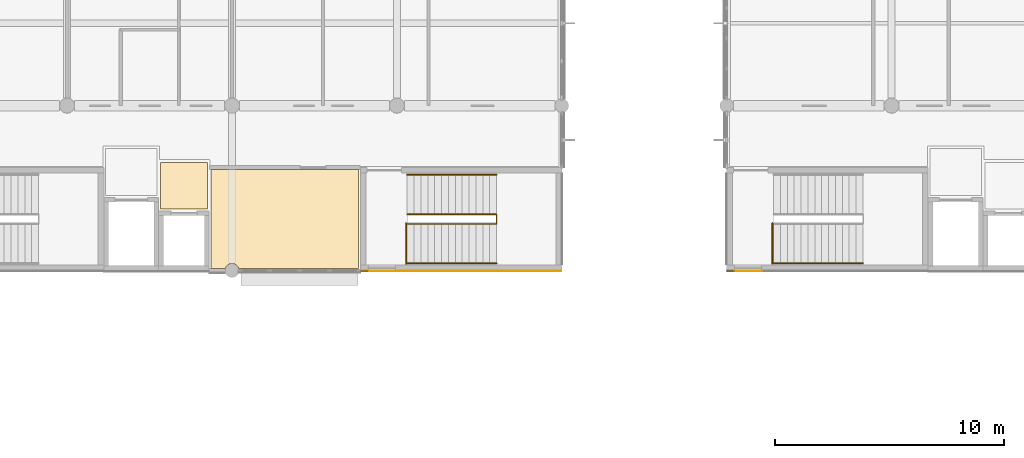
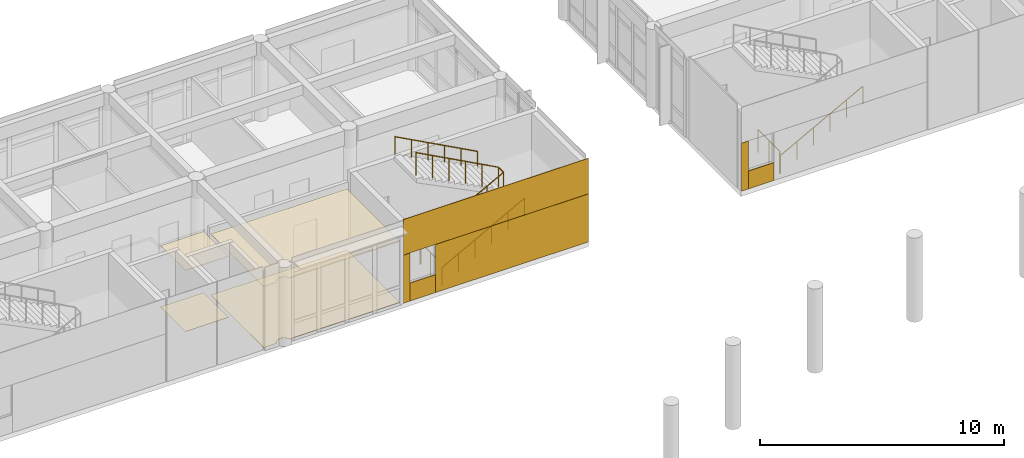
# One storey, part 49 of 55: 10 coverings, 6 railings.
"""IFC4 building model written with IfcOpenShell, lengths in metres."""

from ifc_helpers import new_model, si_unit, direction, frame, origin, origin_2d, place, context, subcontext, project, spatial, polyline, rectangle, circle, outline, extrude, material, layer, layer_set, type_object, element, save


model = new_model("IFC4")

# Units and contexts
model_context = context("Model", 3, precision=1e-05, world=origin(), true_north=direction((0.0, 1.0)))
body_context = subcontext(model_context, "Body", "Model", "MODEL_VIEW")
ifc_project = project(units=[si_unit("LENGTHUNIT", "METRE"), si_unit("AREAUNIT", "SQUARE_METRE"), si_unit("VOLUMEUNIT", "CUBIC_METRE"), si_unit("PLANEANGLEUNIT", "RADIAN"), si_unit("MASSUNIT", "GRAM", prefix="KILO")], contexts=[model_context])

# Site, building, storey
site_placement = place(None, origin())
site = spatial("IfcSite", under=ifc_project, at=site_placement, CompositionType="ELEMENT")
building_placement = place(site_placement, origin())
building = spatial("IfcBuilding", under=site, at=building_placement, Name="Namkhue Oval Health Centre", CompositionType="ELEMENT")
storey_placement = place(building_placement, frame((0.0, 0.0, 9.60009765625)))
storey = spatial("IfcBuildingStorey", under=building, at=storey_placement, Name="L02", CompositionType="ELEMENT", Elevation=9.60009765625)

# Coverings
ifc_material_1 = material(Name="Acoustic mineral-fibre cleanroom ceiling", Category="gypsum")
ifc_layer_1 = layer(ifc_material_1, 0.02001953125)
ifc_layer_set_1 = layer_set([ifc_layer_1], Name="Acoustic mineral-fibre cleanroom ceiling")
covering_type_1 = type_object("IfcCoveringType", Name="ACOUSTIC CLEANROOM CEILING 20", PredefinedType="CEILING", material=ifc_layer_set_1)
covering_1_placement = place(storey_placement, frame((0.0, 0.0, 3.0498046875)))
element("IfcCovering", 1, at=covering_1_placement, inside=storey, type_object=covering_type_1, Name="Acoustic Ceiling L02-LL2 Lift Lobby LF-02", PredefinedType="CEILING", context=body_context, shape_type="SweptSolid", body=[
    extrude(outline(polyline([(68.8798828125, 92.679931640625), (68.8798828125, 94.719970703125), (70.919921875, 94.719970703125), (70.919921875, 92.679931640625), (68.8798828125, 92.679931640625)])), origin(), (0.0, 0.0, 1.0), 0.02001953125),
])
covering_2_placement = place(storey_placement, frame((0.0, 0.0, 3.0498046875)))
element("IfcCovering", 2, at=covering_2_placement, inside=storey, type_object=covering_type_1, Name="Acoustic Ceiling L02-211 Memory Geriatric Clinic", PredefinedType="CEILING", context=body_context, shape_type="SweptSolid", body=[
    extrude(outline(polyline([(72.297607421875, 90.0849609375), (72.2685546875, 90.155029296875), (72.21923828125, 90.21923828125), (72.155029296875, 90.2685546875), (72.080078125, 90.29931640625), (72.0, 90.31005859375), (71.919921875, 90.29931640625), (71.844970703125, 90.2685546875), (71.78076171875, 90.21923828125), (71.7314453125, 90.155029296875), (71.702392578125, 90.0849609375), (71.080078125, 90.0849609375), (71.080078125, 94.419921875), (77.52001953125, 94.419921875), (77.52001953125, 90.0849609375), (72.297607421875, 90.0849609375)])), origin(), (0.0, 0.0, 1.0), 0.02001953125),
])
ifc_material_2 = material(Name="Homogeneous anti-bacterial clinical vinyl flooring", Category="plastic")
ifc_layer_2 = layer(ifc_material_2, 0.014892578125)
ifc_layer_set_2 = layer_set([ifc_layer_2], Name="Homogeneous anti-bacterial clinical vinyl flooring")
covering_type_2 = type_object("IfcCoveringType", Name="CLINICAL ANTIBACTERIAL VINYL FLOORING 15", PredefinedType="FLOORING", material=ifc_layer_set_2)
covering_3_placement = place(storey_placement, origin())
element("IfcCovering", 3, at=covering_3_placement, inside=storey, type_object=covering_type_2, Name="Clinical Flooring L02-LL2 Lift Lobby LF-02", PredefinedType="FLOORING", context=body_context, shape_type="SweptSolid", body=[
    extrude(outline(polyline([(68.8798828125, 92.679931640625), (68.8798828125, 94.719970703125), (70.919921875, 94.719970703125), (70.919921875, 92.679931640625), (68.8798828125, 92.679931640625)])), origin(), (0.0, 0.0, 1.0), 0.014892578125),
])
covering_4_placement = place(storey_placement, origin())
element("IfcCovering", 4, at=covering_4_placement, inside=storey, type_object=covering_type_2, Name="Clinical Flooring L02-211 Memory Geriatric Clinic", PredefinedType="FLOORING", context=body_context, shape_type="SweptSolid", body=[
    extrude(outline(polyline([(72.297607421875, 90.0849609375), (72.2685546875, 90.155029296875), (72.21923828125, 90.21923828125), (72.155029296875, 90.2685546875), (72.080078125, 90.29931640625), (72.0, 90.31005859375), (71.919921875, 90.29931640625), (71.844970703125, 90.2685546875), (71.78076171875, 90.21923828125), (71.7314453125, 90.155029296875), (71.702392578125, 90.0849609375), (71.080078125, 90.0849609375), (71.080078125, 94.419921875), (77.52001953125, 94.419921875), (77.52001953125, 90.0849609375), (72.297607421875, 90.0849609375)])), origin(), (0.0, 0.0, 1.0), 0.014892578125),
])

# Railings
ifc_material_3 = material(Name="Brushed stainless steel 316L balustrade with laminated glass infill", Category="steel")
railing_type_1 = type_object("IfcRailingType", Name="INTERIOR BALUSTRADE GUARD 1150", PredefinedType="BALUSTRADE", material=ifc_material_3)
railing_1_placement = place(storey_placement, frame((79.60009765625, 90.2900390625, 0.0)))
element("IfcRailing", 5, at=railing_1_placement, inside=storey, type_object=railing_type_1, Name="Stair ST-04 L02 Landing Well Edge Guard", PredefinedType="BALUSTRADE", context=body_context, shape_type="SweptSolid", body=[
    extrude(circle(Radius=0.02392578125, at=origin_2d()), frame((0.0, 0.0, 1.1259765625), z_axis=(0.0, 1.0, 0.0), x_axis=(-1.0, 0.0, 0.0)), (0.0, 0.0, 1.0), 1.77001953125),
    extrude(circle(Radius=0.02099609375, at=origin_2d()), origin(), (0.0, 0.0, 1.0), 1.101806640625),
    extrude(circle(Radius=0.02099609375, at=origin_2d()), frame((0.0, 0.885009765625, 0.0)), (0.0, 0.0, 1.0), 1.101806640625),
    extrude(circle(Radius=0.02099609375, at=origin_2d()), frame((0.0, 1.77001953125, 0.0)), (0.0, 0.0, 1.0), 1.101806640625),
])
railing_2_placement = place(storey_placement, frame((79.64990234375, 92.0400390625, 0.0)))
element("IfcRailing", 6, at=railing_2_placement, inside=storey, type_object=railing_type_1, Name="Stair ST-04 L02 Inner Well Guard", PredefinedType="BALUSTRADE", context=body_context, shape_type="SweptSolid", body=[
    extrude(circle(Radius=0.02392578125, at=origin_2d()), frame((0.0, 0.0, 1.1259765625), z_axis=(0.88049233674, 0.0, 0.474060381114), x_axis=(0.0, 1.0, 0.0)), (0.0, 0.0, 1.0), 4.429443359375),
    extrude(circle(Radius=0.02392578125, at=origin_2d()), frame((3.900146484375, 0.0, 3.2255859375), z_axis=(0.0, 1.0, 0.0), x_axis=(-1.0, 0.0, 0.0)), (0.0, 0.0, 1.0), 0.419921875),
    extrude(circle(Radius=0.02392578125, at=origin_2d()), frame((3.900146484375, 0.419921875, 3.2255859375), z_axis=(-0.880469330154, 0.0, 0.474103109733), x_axis=(0.0, -1.0, 0.0)), (0.0, 0.0, 1.0), 4.4296875),
    extrude(circle(Radius=0.02099609375, at=origin_2d()), origin(), (0.0, 0.0, 1.0), 1.101806640625),
    extrude(circle(Radius=0.02099609375, at=origin_2d()), frame((0.780029296875, 0.0, 0.419921875)), (0.0, 0.0, 1.0), 1.101806640625),
    extrude(circle(Radius=0.02099609375, at=origin_2d()), frame((1.56005859375, 0.0, 0.83984375)), (0.0, 0.0, 1.0), 1.101806640625),
    extrude(circle(Radius=0.02099609375, at=origin_2d()), frame((2.340087890625, 0.0, 1.260009765625)), (0.0, 0.0, 1.0), 1.101806640625),
    extrude(circle(Radius=0.02099609375, at=origin_2d()), frame((3.1201171875, 0.0, 1.679931640625)), (0.0, 0.0, 1.0), 1.101806640625),
    extrude(circle(Radius=0.02099609375, at=origin_2d()), frame((3.900146484375, 0.0, 2.099853515625)), (0.0, 0.0, 1.0), 1.101806640625),
    extrude(circle(Radius=0.02099609375, at=origin_2d()), frame((3.900146484375, 0.419921875, 2.099853515625)), (0.0, 0.0, 1.0), 1.101806640625),
    extrude(circle(Radius=0.02099609375, at=origin_2d()), frame((3.1201171875, 0.419921875, 2.519775390625)), (0.0, 0.0, 1.0), 1.101806640625),
    extrude(circle(Radius=0.02099609375, at=origin_2d()), frame((2.340087890625, 0.419921875, 2.93994140625)), (0.0, 0.0, 1.0), 1.101806640625),
    extrude(circle(Radius=0.02099609375, at=origin_2d()), frame((1.56005859375, 0.419921875, 3.35986328125)), (0.0, 0.0, 1.0), 1.101806640625),
    extrude(circle(Radius=0.02099609375, at=origin_2d()), frame((0.780029296875, 0.419921875, 3.780029296875)), (0.0, 0.0, 1.0), 1.101806640625),
    extrude(circle(Radius=0.02099609375, at=origin_2d()), frame((0.0, 0.419921875, 4.199951171875)), (0.0, 0.0, 1.0), 1.101806640625),
])
railing_3_placement = place(storey_placement, frame((95.60009765625, 90.2900390625, 0.0)))
element("IfcRailing", 7, at=railing_3_placement, inside=storey, type_object=railing_type_1, Name="Stair ST-05 L02 Landing Well Edge Guard", PredefinedType="BALUSTRADE", context=body_context, shape_type="SweptSolid", body=[
    extrude(circle(Radius=0.02392578125, at=origin_2d()), frame((0.0, 0.0, 1.1259765625), z_axis=(0.0, 1.0, 0.0), x_axis=(-1.0, 0.0, 0.0)), (0.0, 0.0, 1.0), 1.77001953125),
    extrude(circle(Radius=0.02099609375, at=origin_2d()), origin(), (0.0, 0.0, 1.0), 1.101806640625),
    extrude(circle(Radius=0.02099609375, at=origin_2d()), frame((0.0, 0.885009765625, 0.0)), (0.0, 0.0, 1.0), 1.101806640625),
    extrude(circle(Radius=0.02099609375, at=origin_2d()), frame((0.0, 1.77001953125, 0.0)), (0.0, 0.0, 1.0), 1.101806640625),
])
ifc_material_4 = material(Name="Brushed stainless steel 304 tubular handrail", Category="steel")
railing_type_2 = type_object("IfcRailingType", Name="INTERIOR STAIR HANDRAIL 900", PredefinedType="HANDRAIL", material=ifc_material_4)
railing_4_placement = place(storey_placement, frame((79.64990234375, 90.320068359375, 0.0)))
element("IfcRailing", 8, at=railing_4_placement, inside=storey, type_object=railing_type_2, Name="Stair ST-04 L02 Flight 1 Handrail", PredefinedType="HANDRAIL", context=body_context, shape_type="SweptSolid", body=[
    extrude(circle(Radius=0.02392578125, at=origin_2d()), frame((0.0, 0.0, 0.8759765625), z_axis=(0.88049233674, 0.0, 0.474060381114), x_axis=(0.0, 1.0, 0.0)), (0.0, 0.0, 1.0), 4.429443359375),
    extrude(circle(Radius=0.02099609375, at=origin_2d()), origin(), (0.0, 0.0, 1.0), 0.851806640625),
    extrude(circle(Radius=0.02099609375, at=origin_2d()), frame((0.780029296875, 0.0, 0.419921875)), (0.0, 0.0, 1.0), 0.851806640625),
    extrude(circle(Radius=0.02099609375, at=origin_2d()), frame((1.56005859375, 0.0, 0.83984375)), (0.0, 0.0, 1.0), 0.851806640625),
    extrude(circle(Radius=0.02099609375, at=origin_2d()), frame((2.340087890625, 0.0, 1.260009765625)), (0.0, 0.0, 1.0), 0.851806640625),
    extrude(circle(Radius=0.02099609375, at=origin_2d()), frame((3.1201171875, 0.0, 1.679931640625)), (0.0, 0.0, 1.0), 0.851806640625),
    extrude(circle(Radius=0.02099609375, at=origin_2d()), frame((3.900146484375, 0.0, 2.099853515625)), (0.0, 0.0, 1.0), 0.851806640625),
])
railing_5_placement = place(storey_placement, frame((83.550048828125, 94.179931640625, 2.099853515625)))
element("IfcRailing", 9, at=railing_5_placement, inside=storey, type_object=railing_type_2, Name="Stair ST-04 L02 Flight 2 Handrail", PredefinedType="HANDRAIL", context=body_context, shape_type="SweptSolid", body=[
    extrude(circle(Radius=0.02392578125, at=origin_2d()), frame((0.0, 0.0, 0.8759765625), z_axis=(-0.880469330154, 0.0, 0.474103109733), x_axis=(0.0, -1.0, 0.0)), (0.0, 0.0, 1.0), 4.4296875),
    extrude(circle(Radius=0.02099609375, at=origin_2d()), origin(), (0.0, 0.0, 1.0), 0.851806640625),
    extrude(circle(Radius=0.02099609375, at=origin_2d()), frame((-0.780029296875, 0.0, 0.419921875)), (0.0, 0.0, 1.0), 0.851806640625),
    extrude(circle(Radius=0.02099609375, at=origin_2d()), frame((-1.56005859375, 0.0, 0.840087890625)), (0.0, 0.0, 1.0), 0.851806640625),
    extrude(circle(Radius=0.02099609375, at=origin_2d()), frame((-2.340087890625, 0.0, 1.260009765625)), (0.0, 0.0, 1.0), 0.851806640625),
    extrude(circle(Radius=0.02099609375, at=origin_2d()), frame((-3.1201171875, 0.0, 1.68017578125)), (0.0, 0.0, 1.0), 0.851806640625),
    extrude(circle(Radius=0.02099609375, at=origin_2d()), frame((-3.900146484375, 0.0, 2.10009765625)), (0.0, 0.0, 1.0), 0.851806640625),
])
railing_6_placement = place(storey_placement, frame((95.64990234375, 90.320068359375, 0.0)))
element("IfcRailing", 10, at=railing_6_placement, inside=storey, type_object=railing_type_2, Name="Stair ST-05 L02 Flight 1 Handrail", PredefinedType="HANDRAIL", context=body_context, shape_type="SweptSolid", body=[
    extrude(circle(Radius=0.02392578125, at=origin_2d()), frame((0.0, 0.0, 0.8759765625), z_axis=(0.88049233674, 0.0, 0.474060381114), x_axis=(0.0, 1.0, 0.0)), (0.0, 0.0, 1.0), 4.429443359375),
    extrude(circle(Radius=0.02099609375, at=origin_2d()), origin(), (0.0, 0.0, 1.0), 0.851806640625),
    extrude(circle(Radius=0.02099609375, at=origin_2d()), frame((0.780029296875, 0.0, 0.419921875)), (0.0, 0.0, 1.0), 0.851806640625),
    extrude(circle(Radius=0.02099609375, at=origin_2d()), frame((1.56005859375, 0.0, 0.83984375)), (0.0, 0.0, 1.0), 0.851806640625),
    extrude(circle(Radius=0.02099609375, at=origin_2d()), frame((2.340087890625, 0.0, 1.260009765625)), (0.0, 0.0, 1.0), 0.851806640625),
    extrude(circle(Radius=0.02099609375, at=origin_2d()), frame((3.1201171875, 0.0, 1.679931640625)), (0.0, 0.0, 1.0), 0.851806640625),
    extrude(circle(Radius=0.02099609375, at=origin_2d()), frame((3.900146484375, 0.0, 2.099853515625)), (0.0, 0.0, 1.0), 0.851806640625),
])

# Coverings
ifc_material_5 = material(Name="White glass-fibre reinforced concrete GRC rainscreen cladding", Category="concrete")
ifc_layer_3 = layer(ifc_material_5, 0.02490234375)
ifc_layer_set_3 = layer_set([ifc_layer_3], Name="White glass-fibre reinforced concrete GRC rainscreen cladding")
covering_type_3 = type_object("IfcCoveringType", Name="WHITE GRC RAINSCREEN CLADDING 25", PredefinedType="CLADDING", material=ifc_layer_set_3)
covering_5_placement = place(storey_placement, frame((82.0, 89.988037109375, 2.4150390625), z_axis=(0.0, 0.0, 1.0), x_axis=(1.0, 0.0, 0.0)))
element("IfcCovering", 11, at=covering_5_placement, inside=storey, type_object=covering_type_3, Name="Core SC-04 L02 Core S White GRC Cladding 1", PredefinedType="CLADDING", context=body_context, shape_type="SweptSolid", body=[
    extrude(rectangle(XDim=8.760009765625, YDim=0.02490234375, at=origin_2d()), origin(), (0.0, 0.0, 1.0), 1.77490234375),
])
covering_6_placement = place(storey_placement, frame((77.777587890625, 89.988037109375, 0.010009765625), z_axis=(0.0, 0.0, 1.0), x_axis=(1.0, 0.0, 0.0)))
element("IfcCovering", 12, at=covering_6_placement, inside=storey, type_object=covering_type_3, Name="Core SC-04 L02 Core S White GRC Cladding 2", PredefinedType="CLADDING", context=body_context, shape_type="SweptSolid", body=[
    extrude(rectangle(XDim=0.31494140625, YDim=0.02490234375, at=origin_2d()), origin(), (0.0, 0.0, 1.0), 2.39990234375),
])
covering_7_placement = place(storey_placement, frame((78.5400390625, 89.988037109375, 0.010009765625), z_axis=(0.0, 0.0, 1.0), x_axis=(1.0, 0.0, 0.0)))
element("IfcCovering", 13, at=covering_7_placement, inside=storey, type_object=covering_type_3, Name="Core SC-04 L02 Core S White GRC Cladding 3", PredefinedType="CLADDING", context=body_context, shape_type="SweptSolid", body=[
    extrude(rectangle(XDim=1.199951171875, YDim=0.02490234375, at=origin_2d()), origin(), (0.0, 0.0, 1.0), 0.89501953125),
])
covering_8_placement = place(storey_placement, frame((82.762451171875, 89.988037109375, 0.010009765625), z_axis=(0.0, 0.0, 1.0), x_axis=(1.0, 0.0, 0.0)))
element("IfcCovering", 14, at=covering_8_placement, inside=storey, type_object=covering_type_3, Name="Core SC-04 L02 Core S White GRC Cladding 4", PredefinedType="CLADDING", context=body_context, shape_type="SweptSolid", body=[
    extrude(rectangle(XDim=7.235107421875, YDim=0.02490234375, at=origin_2d()), origin(), (0.0, 0.0, 1.0), 2.39990234375),
])
covering_9_placement = place(storey_placement, frame((93.777587890625, 89.988037109375, 0.010009765625), z_axis=(0.0, 0.0, 1.0), x_axis=(1.0, 0.0, 0.0)))
element("IfcCovering", 15, at=covering_9_placement, inside=storey, type_object=covering_type_3, Name="Core SC-05 L02 Core S White GRC Cladding 2", PredefinedType="CLADDING", context=body_context, shape_type="SweptSolid", body=[
    extrude(rectangle(XDim=0.31494140625, YDim=0.02490234375, at=origin_2d()), origin(), (0.0, 0.0, 1.0), 2.39990234375),
])
covering_10_placement = place(storey_placement, frame((94.5400390625, 89.988037109375, 0.010009765625), z_axis=(0.0, 0.0, 1.0), x_axis=(1.0, 0.0, 0.0)))
element("IfcCovering", 16, at=covering_10_placement, inside=storey, type_object=covering_type_3, Name="Core SC-05 L02 Core S White GRC Cladding 3", PredefinedType="CLADDING", context=body_context, shape_type="SweptSolid", body=[
    extrude(rectangle(XDim=1.199951171875, YDim=0.02490234375, at=origin_2d()), origin(), (0.0, 0.0, 1.0), 0.89501953125),
])

save(model, "model.ifc")
